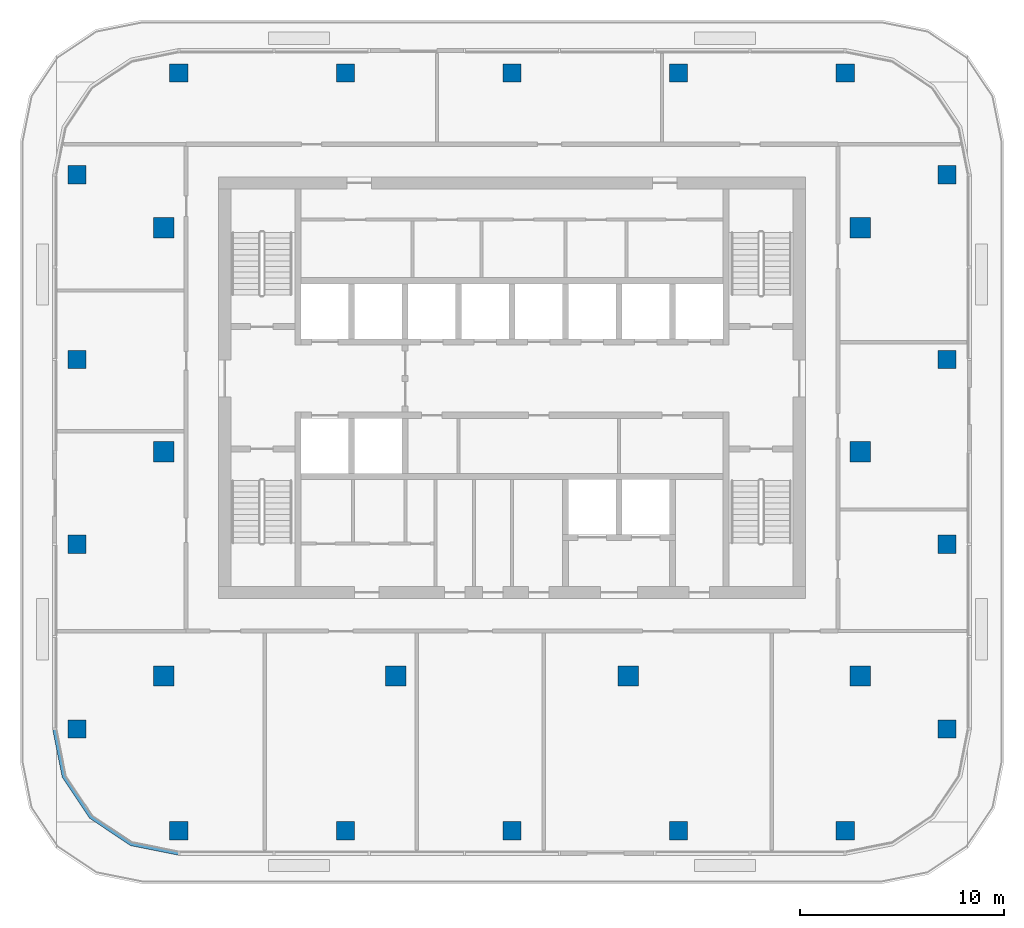
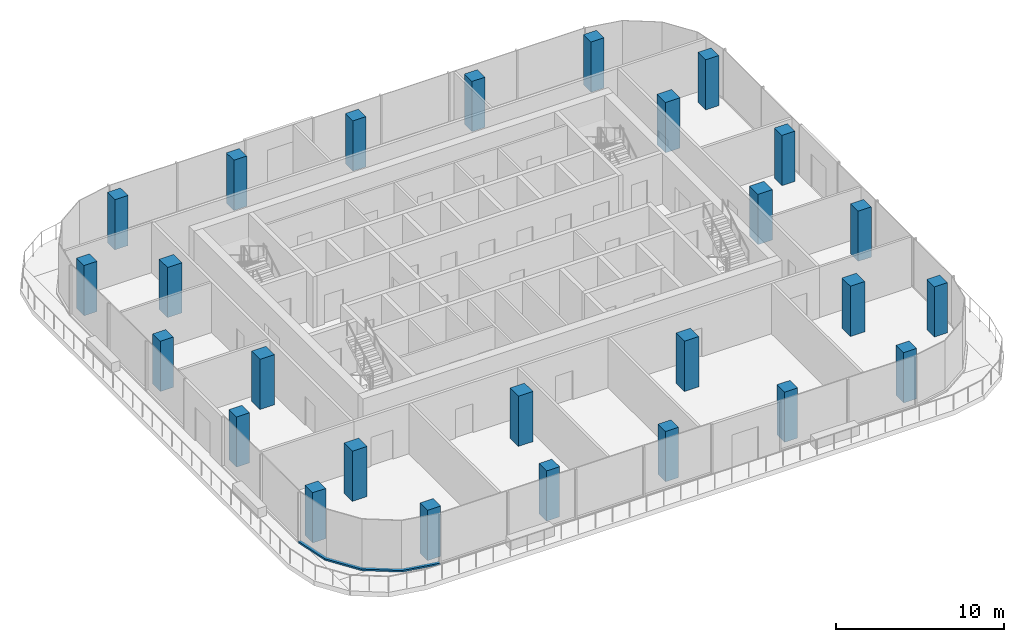
# One storey, part 1 of 12: 26 columns, 1 member, 1 element without a shape of its own.
"""IFC4 building model written with IfcOpenShell, lengths in metres."""

from ifc_helpers import new_model, si_unit, direction, frame, origin, origin_2d, place, context, subcontext, project, spatial, polyline, rectangle, outline, extrude, material, material_profile, profile_set, type_object, element, aggregate, save


model = new_model("IFC4")

# Units and contexts
model_context = context("Model", 3, precision=1e-05, world=origin(), true_north=direction((0.0, 1.0)))
body_context = subcontext(model_context, "Body", "Model", "MODEL_VIEW")
ifc_project = project(units=[si_unit("LENGTHUNIT", "METRE"), si_unit("AREAUNIT", "SQUARE_METRE"), si_unit("VOLUMEUNIT", "CUBIC_METRE"), si_unit("PLANEANGLEUNIT", "RADIAN"), si_unit("MASSUNIT", "GRAM", prefix="KILO")], contexts=[model_context])

# Site, building, storey
site_placement = place(None, origin())
site = spatial("IfcSite", under=ifc_project, at=site_placement, CompositionType="ELEMENT")
building_placement = place(site_placement, origin())
building = spatial("IfcBuilding", under=site, at=building_placement, Name="Mopane Tessera Tower", CompositionType="ELEMENT")
storey_placement = place(building_placement, frame((0.0, 0.0, 349.39990234375)))
storey = spatial("IfcBuildingStorey", under=building, at=storey_placement, Name="L76", CompositionType="ELEMENT", Elevation=349.39990234375)

# Columns
ifc_material_1 = material(Name="Concrete C40/50", Category="concrete")
ifc_material_profile_1 = material_profile(ifc_material_1, rectangle(XDim=1.0, YDim=1.0, at=origin_2d()))
ifc_profile_set_1 = profile_set([ifc_material_profile_1], Name="Concrete C40/50")
column_type_1 = type_object("IfcColumnType", Name="Interior column 1000 x 1000 C40/50", PredefinedType="COLUMN", material=ifc_profile_set_1)
for number, where, z_axis, x_axis, name in (
    (1, (-17.10009765625, -11.0, 0.0), (0.0, 0.0, 1.0), (1.0, 0.0, 0.0), "Interior column I1A L76"),
    (2, (-17.10009765625, 0.0, 0.0), (0.0, 0.0, 1.0), (1.0, 0.0, 0.0), "Interior column I1B L76"),
    (3, (-17.10009765625, 11.0, 0.0), (0.0, 0.0, 1.0), (1.0, 0.0, 0.0), "Interior column I1C L76"),
    (4, (-5.699951171875, -11.0, 0.0), (0.0, 0.0, 1.0), (1.0, 0.0, 0.0), "Interior column I2A L76"),
    (5, (5.699951171875, -11.0, 0.0), (0.0, 0.0, 1.0), (1.0, 0.0, 0.0), "Interior column I3A L76"),
    (6, (17.10009765625, -11.0, 0.0), (0.0, 0.0, 1.0), (1.0, 0.0, 0.0), "Interior column I4A L76"),
    (7, (17.10009765625, 0.0, 0.0), (0.0, 0.0, 1.0), (1.0, 0.0, 0.0), "Interior column I4B L76"),
    (8, (17.10009765625, 11.0, 0.0), (0.0, 0.0, 1.0), (1.0, 0.0, 0.0), "Interior column I4C L76"),
):
    element("IfcColumn", number, at=place(storey_placement, frame(where, z_axis=z_axis, x_axis=x_axis)), inside=storey, type_object=column_type_1, Name=name, PredefinedType="COLUMN", context=body_context, shape_type="SweptSolid", body=[
        extrude(rectangle(XDim=1.0, YDim=1.0, at=origin_2d()), origin(), (0.0, 0.0, 1.0), 3.650146484375),
    ])
ifc_material_2 = material(Name="Concrete C40/50", Category="concrete")
ifc_material_profile_2 = material_profile(ifc_material_2, rectangle(XDim=0.89990234375, YDim=0.89990234375, at=origin_2d()))
ifc_profile_set_2 = profile_set([ifc_material_profile_2], Name="Concrete C40/50")
column_type_2 = type_object("IfcColumnType", Name="Ring column 900 x 900 C40/50", PredefinedType="COLUMN", material=ifc_profile_set_2)
for number, where, z_axis, x_axis, name in (
    (9, (-16.35009765625, -18.60009765625, 0.0), (0.0, 0.0, 1.0), (1.0, 0.0, 0.0), "Ring column S0 L76"),
    (10, (-8.175048828125, -18.60009765625, 0.0), (0.0, 0.0, 1.0), (1.0, 0.0, 0.0), "Ring column S1 L76"),
    (11, (0.0, -18.60009765625, 0.0), (0.0, 0.0, 1.0), (1.0, 0.0, 0.0), "Ring column S2 L76"),
    (12, (8.175048828125, -18.60009765625, 0.0), (0.0, 0.0, 1.0), (1.0, 0.0, 0.0), "Ring column S3 L76"),
    (13, (16.35009765625, -18.60009765625, 0.0), (0.0, 0.0, 1.0), (1.0, 0.0, 0.0), "Ring column S4 L76"),
    (14, (21.35009765625, -13.60009765625, 0.0), (0.0, 0.0, 1.0), (1.0, 0.0, 0.0), "Ring column E0 L76"),
    (15, (21.35009765625, -4.533447265625, 0.0), (0.0, 0.0, 1.0), (1.0, 0.0, 0.0), "Ring column E1 L76"),
    (16, (21.35009765625, 4.533447265625, 0.0), (0.0, 0.0, 1.0), (1.0, 0.0, 0.0), "Ring column E2 L76"),
    (17, (21.35009765625, 13.60009765625, 0.0), (0.0, 0.0, 1.0), (1.0, 0.0, 0.0), "Ring column E3 L76"),
    (18, (16.35009765625, 18.60009765625, 0.0), (0.0, 0.0, 1.0), (1.0, 0.0, 0.0), "Ring column N0 L76"),
    (19, (8.175048828125, 18.60009765625, 0.0), (0.0, 0.0, 1.0), (1.0, 0.0, 0.0), "Ring column N1 L76"),
    (20, (0.0, 18.60009765625, 0.0), (0.0, 0.0, 1.0), (1.0, 0.0, 0.0), "Ring column N2 L76"),
    (21, (-8.175048828125, 18.60009765625, 0.0), (0.0, 0.0, 1.0), (1.0, 0.0, 0.0), "Ring column N3 L76"),
    (22, (-16.35009765625, 18.60009765625, 0.0), (0.0, 0.0, 1.0), (1.0, 0.0, 0.0), "Ring column N4 L76"),
    (23, (-21.35009765625, 13.60009765625, 0.0), (0.0, 0.0, 1.0), (1.0, 0.0, 0.0), "Ring column W0 L76"),
    (24, (-21.35009765625, 4.533447265625, 0.0), (0.0, 0.0, 1.0), (1.0, 0.0, 0.0), "Ring column W1 L76"),
    (25, (-21.35009765625, -4.533447265625, 0.0), (0.0, 0.0, 1.0), (1.0, 0.0, 0.0), "Ring column W2 L76"),
    (26, (-21.35009765625, -13.60009765625, 0.0), (0.0, 0.0, 1.0), (1.0, 0.0, 0.0), "Ring column W3 L76"),
):
    element("IfcColumn", number, at=place(storey_placement, frame(where, z_axis=z_axis, x_axis=x_axis)), inside=storey, type_object=column_type_2, Name=name, PredefinedType="COLUMN", context=body_context, shape_type="SweptSolid", body=[
        extrude(rectangle(XDim=0.89990234375, YDim=0.89990234375, at=origin_2d()), origin(), (0.0, 0.0, 1.0), 3.650146484375),
    ])

# Curtain wall, member
ifc_material_3 = material(Name="Aluminium frame", Category="aluminium")
curtain_wall_type = type_object("IfcCurtainWallType", Name="Unitised curtain wall", PredefinedType="NOTDEFINED", material=ifc_material_3)
curtain_wall_placement = place(storey_placement, origin())
curtain_wall = element("IfcCurtainWall", 27, at=curtain_wall_placement, inside=storey, type_object=curtain_wall_type, Name="e:cw:L76:CW", PredefinedType="NOTDEFINED")
ifc_material_4 = material(Name="Aluminium frame", Category="aluminium")
ifc_material_profile_3 = material_profile(ifc_material_4, rectangle(XDim=0.199951171875, YDim=0.1201171875, at=origin_2d()))
ifc_profile_set_3 = profile_set([ifc_material_profile_3], Name="Aluminium frame")
member_type = type_object("IfcMemberType", Name="Aluminium transom 200 x 120", PredefinedType="USERDEFINED", material=ifc_profile_set_3)
member_placement = place(storey_placement, origin())
member = element("IfcMember", 28, at=member_placement, type_object=member_type, Name="e:cw:L76:CW:tr", ObjectType="TRANSOM", PredefinedType="USERDEFINED", context=body_context, shape_type="SweptSolid", body=[
    extrude(outline(polyline([(-22.35009765625, -13.60009765625), (-21.893310546875, -15.89599609375), (-20.592529296875, -17.842529296875), (-18.64599609375, -19.143310546875), (-16.35009765625, -19.60009765625), (-16.35009765625, -19.800048828125), (-18.72265625, -19.328125), (-20.734130859375, -17.984130859375), (-22.078125, -15.97265625), (-22.550048828125, -13.60009765625), (-22.35009765625, -13.60009765625)])), origin(), (0.0, 0.0, 1.0), 0.1201171875),
])
aggregate(curtain_wall, [member])

save(model, "model.ifc")
